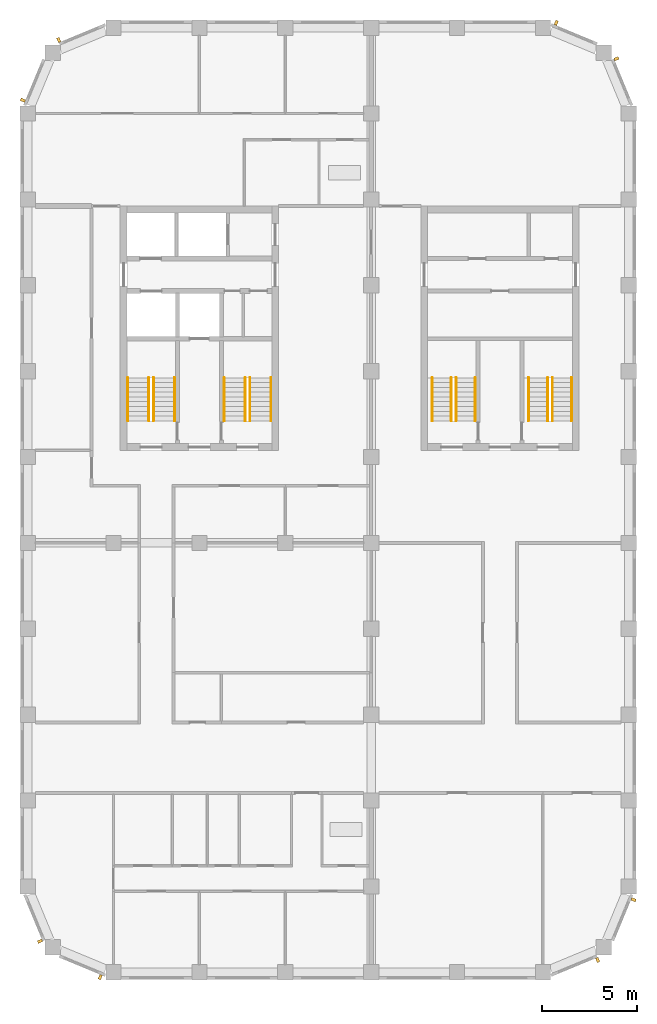
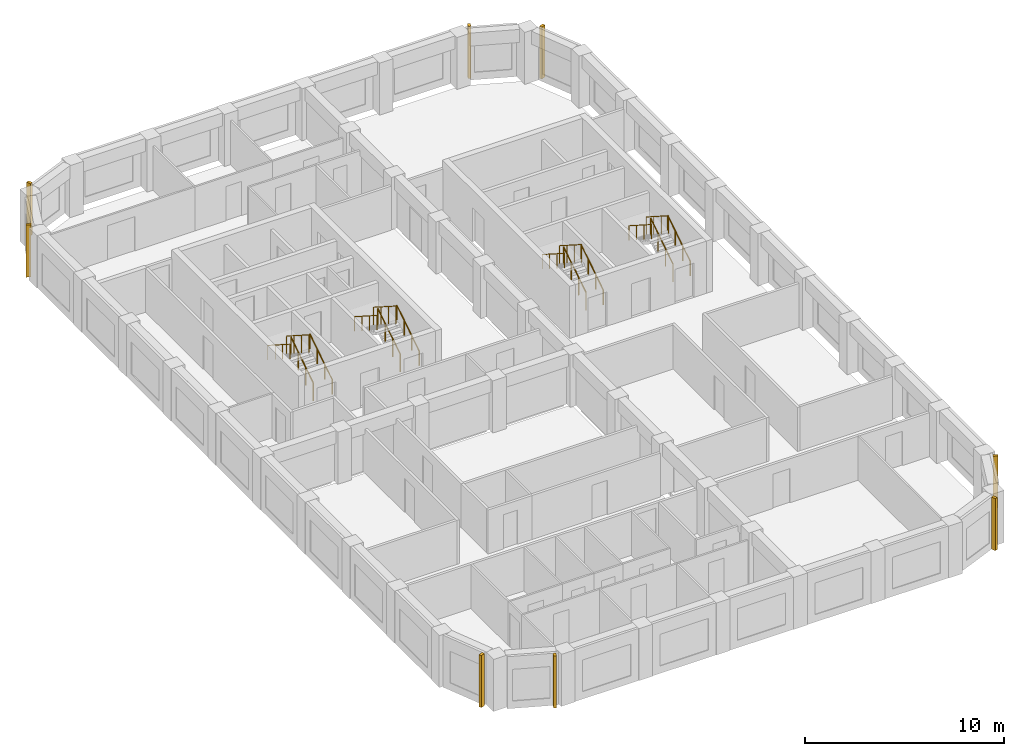
# One storey, part 8 of 9: 16 railings, 8 shading devices.
"""IFC4 building model written with IfcOpenShell, lengths in metres."""

from ifc_helpers import new_model, si_unit, direction, frame, origin, origin_2d, place, context, subcontext, project, spatial, rectangle, circle, extrude, material, type_object, element, save


model = new_model("IFC4")

# Units and contexts
model_context = context("Model", 3, precision=1e-05, world=origin(), true_north=direction((0.0, 1.0)))
body_context = subcontext(model_context, "Body", "Model", "MODEL_VIEW")
ifc_project = project(units=[si_unit("LENGTHUNIT", "METRE"), si_unit("AREAUNIT", "SQUARE_METRE"), si_unit("VOLUMEUNIT", "CUBIC_METRE"), si_unit("PLANEANGLEUNIT", "RADIAN"), si_unit("MASSUNIT", "GRAM", prefix="KILO")], contexts=[model_context])

# Site, building, storey
site_placement = place(None, origin())
site = spatial("IfcSite", under=ifc_project, at=site_placement, CompositionType="ELEMENT")
building_placement = place(site_placement, origin())
building = spatial("IfcBuilding", under=site, at=building_placement, Name="Girih Gate Residences", CompositionType="ELEMENT")
storey_placement = place(building_placement, frame((0.0, 0.0, 198.699951171875)))
storey = spatial("IfcBuildingStorey", under=building, at=storey_placement, Name="L55", CompositionType="ELEMENT", Elevation=198.699951171875)

# Shading devices
ifc_material_1 = material(Name="Precast concrete C50/60", Category="concrete")
shading_device_type = type_object("IfcShadingDeviceType", Name="Corner rib 150x250", PredefinedType="USERDEFINED", material=ifc_material_1)
for number, where, z_axis, x_axis, name in (
    (1, (29.867919921875, 0.646728515625, 0.0), (0.0, 0.0, 1.0), (0.923879532511, 0.382683432365, 0.0), "Corner rib SE0270_0000.0"),
    (2, (31.752685546875, 3.80322265625, 0.0), (0.0, 0.0, 1.0), (0.382683432365, 0.923879532511, 0.0), "Corner rib SE0302_0013.0"),
    (3, (30.853271484375, 47.867919921875, 0.0), (0.0, 0.0, 1.0), (-0.382683432365, 0.923879532511, 0.0), "Corner rib NE0315_0450.0"),
    (4, (27.69677734375, 49.752685546875, 0.0), (0.0, 0.0, 1.0), (-0.923879532511, 0.382683432365, 0.0), "Corner rib NE0302_0482.0"),
    (5, (1.632080078125, 48.853271484375, 0.0), (0.0, 0.0, 1.0), (-0.923879532511, -0.382683432365, 0.0), "Corner rib NW0045_0495.0"),
    (6, (-0.252685546875, 45.69677734375, 0.0), (0.0, 0.0, 1.0), (-0.382683432365, -0.923879532511, 0.0), "Corner rib NW0013_0482.0"),
    (7, (0.646728515625, 1.632080078125, 0.0), (0.0, 0.0, 1.0), (0.382683432365, -0.923879532511, 0.0), "Corner rib SW0000_0045.0"),
    (8, (3.80322265625, -0.252685546875, 0.0), (0.0, 0.0, 1.0), (0.923879532511, -0.382683432365, 0.0), "Corner rib SW0013_0013.0"),
):
    element("IfcShadingDevice", number, at=place(storey_placement, frame(where, z_axis=z_axis, x_axis=x_axis)), inside=storey, type_object=shading_device_type, Name=name, ObjectType="FIN", PredefinedType="USERDEFINED", context=body_context, shape_type="SweptSolid", body=[
        extrude(rectangle(XDim=0.14990234375, YDim=0.25, at=origin_2d()), origin(), (0.0, 0.0, 1.0), 3.199951171875),
    ])

# Railings
ifc_material_2 = material(Name="Stainless steel", Category="steel")
railing_type_1 = type_object("IfcRailingType", Name="Stair guard 1100", PredefinedType="GUARDRAIL", material=ifc_material_2)
railing_1_placement = place(storey_placement, frame((6.60009765625, 28.89990234375, 0.16015625)))
element("IfcRailing", 9, at=railing_1_placement, inside=storey, type_object=railing_type_1, Name="L55 ST-W1 stair guard 1", PredefinedType="GUARDRAIL", context=body_context, shape_type="SweptSolid", body=[
    extrude(circle(Radius=0.02392578125, at=origin_2d()), frame((0.0, 0.0, 1.076171875), z_axis=(0.0, 0.842281359387, 0.539038135598), x_axis=(-1.0, 0.0, 0.0)), (0.0, 0.0, 1.0), 2.67138671875),
    extrude(circle(Radius=0.02099609375, at=origin_2d()), origin(), (0.0, 0.0, 1.0), 1.052001953125),
    extrude(circle(Radius=0.02099609375, at=origin_2d()), frame((0.0, 0.75, 0.47998046875)), (0.0, 0.0, 1.0), 1.052001953125),
    extrude(circle(Radius=0.02099609375, at=origin_2d()), frame((0.0, 1.5, 0.9599609375)), (0.0, 0.0, 1.0), 1.052001953125),
    extrude(circle(Radius=0.02099609375, at=origin_2d()), frame((0.0, 2.25, 1.43994140625)), (0.0, 0.0, 1.0), 1.052001953125),
])
railing_2_placement = place(storey_placement, frame((6.35009765625, 31.14990234375, 1.760009765625)))
element("IfcRailing", 10, at=railing_2_placement, inside=storey, type_object=railing_type_1, Name="L55 ST-W1 stair guard 2", PredefinedType="GUARDRAIL", context=body_context, shape_type="SweptSolid", body=[
    extrude(circle(Radius=0.02392578125, at=origin_2d()), frame((0.0, 0.0, 1.076171875), z_axis=(0.0, -0.842281359387, 0.539038135598), x_axis=(1.0, 0.0, 0.0)), (0.0, 0.0, 1.0), 2.67138671875),
    extrude(circle(Radius=0.02099609375, at=origin_2d()), origin(), (0.0, 0.0, 1.0), 1.052001953125),
    extrude(circle(Radius=0.02099609375, at=origin_2d()), frame((0.0, -0.75, 0.47998046875)), (0.0, 0.0, 1.0), 1.052001953125),
    extrude(circle(Radius=0.02099609375, at=origin_2d()), frame((0.0, -1.5, 0.9599609375)), (0.0, 0.0, 1.0), 1.052001953125),
    extrude(circle(Radius=0.02099609375, at=origin_2d()), frame((0.0, -2.25, 1.43994140625)), (0.0, 0.0, 1.0), 1.052001953125),
])
railing_3_placement = place(storey_placement, frame((11.64990234375, 28.89990234375, 0.16015625)))
element("IfcRailing", 11, at=railing_3_placement, inside=storey, type_object=railing_type_1, Name="L55 ST-W2 stair guard 1", PredefinedType="GUARDRAIL", context=body_context, shape_type="SweptSolid", body=[
    extrude(circle(Radius=0.02392578125, at=origin_2d()), frame((0.0, 0.0, 1.076171875), z_axis=(0.0, 0.842281359387, 0.539038135598), x_axis=(-1.0, 0.0, 0.0)), (0.0, 0.0, 1.0), 2.67138671875),
    extrude(circle(Radius=0.02099609375, at=origin_2d()), origin(), (0.0, 0.0, 1.0), 1.052001953125),
    extrude(circle(Radius=0.02099609375, at=origin_2d()), frame((0.0, 0.75, 0.47998046875)), (0.0, 0.0, 1.0), 1.052001953125),
    extrude(circle(Radius=0.02099609375, at=origin_2d()), frame((0.0, 1.5, 0.9599609375)), (0.0, 0.0, 1.0), 1.052001953125),
    extrude(circle(Radius=0.02099609375, at=origin_2d()), frame((0.0, 2.25, 1.43994140625)), (0.0, 0.0, 1.0), 1.052001953125),
])
railing_4_placement = place(storey_placement, frame((11.39990234375, 31.14990234375, 1.760009765625)))
element("IfcRailing", 12, at=railing_4_placement, inside=storey, type_object=railing_type_1, Name="L55 ST-W2 stair guard 2", PredefinedType="GUARDRAIL", context=body_context, shape_type="SweptSolid", body=[
    extrude(circle(Radius=0.02392578125, at=origin_2d()), frame((0.0, 0.0, 1.076171875), z_axis=(0.0, -0.842281359387, 0.539038135598), x_axis=(1.0, 0.0, 0.0)), (0.0, 0.0, 1.0), 2.67138671875),
    extrude(circle(Radius=0.02099609375, at=origin_2d()), origin(), (0.0, 0.0, 1.0), 1.052001953125),
    extrude(circle(Radius=0.02099609375, at=origin_2d()), frame((0.0, -0.75, 0.47998046875)), (0.0, 0.0, 1.0), 1.052001953125),
    extrude(circle(Radius=0.02099609375, at=origin_2d()), frame((0.0, -1.5, 0.9599609375)), (0.0, 0.0, 1.0), 1.052001953125),
    extrude(circle(Radius=0.02099609375, at=origin_2d()), frame((0.0, -2.25, 1.43994140625)), (0.0, 0.0, 1.0), 1.052001953125),
])
railing_5_placement = place(storey_placement, frame((22.449951171875, 28.89990234375, 0.16015625)))
element("IfcRailing", 13, at=railing_5_placement, inside=storey, type_object=railing_type_1, Name="L55 ST-C1 stair guard 1", PredefinedType="GUARDRAIL", context=body_context, shape_type="SweptSolid", body=[
    extrude(circle(Radius=0.02392578125, at=origin_2d()), frame((0.0, 0.0, 1.076171875), z_axis=(0.0, 0.842281359387, 0.539038135598), x_axis=(-1.0, 0.0, 0.0)), (0.0, 0.0, 1.0), 2.67138671875),
    extrude(circle(Radius=0.02099609375, at=origin_2d()), origin(), (0.0, 0.0, 1.0), 1.052001953125),
    extrude(circle(Radius=0.02099609375, at=origin_2d()), frame((0.0, 0.75, 0.47998046875)), (0.0, 0.0, 1.0), 1.052001953125),
    extrude(circle(Radius=0.02099609375, at=origin_2d()), frame((0.0, 1.5, 0.9599609375)), (0.0, 0.0, 1.0), 1.052001953125),
    extrude(circle(Radius=0.02099609375, at=origin_2d()), frame((0.0, 2.25, 1.43994140625)), (0.0, 0.0, 1.0), 1.052001953125),
])
railing_6_placement = place(storey_placement, frame((22.199951171875, 31.14990234375, 1.760009765625)))
element("IfcRailing", 14, at=railing_6_placement, inside=storey, type_object=railing_type_1, Name="L55 ST-C1 stair guard 2", PredefinedType="GUARDRAIL", context=body_context, shape_type="SweptSolid", body=[
    extrude(circle(Radius=0.02392578125, at=origin_2d()), frame((0.0, 0.0, 1.076171875), z_axis=(0.0, -0.842281359387, 0.539038135598), x_axis=(1.0, 0.0, 0.0)), (0.0, 0.0, 1.0), 2.67138671875),
    extrude(circle(Radius=0.02099609375, at=origin_2d()), origin(), (0.0, 0.0, 1.0), 1.052001953125),
    extrude(circle(Radius=0.02099609375, at=origin_2d()), frame((0.0, -0.75, 0.47998046875)), (0.0, 0.0, 1.0), 1.052001953125),
    extrude(circle(Radius=0.02099609375, at=origin_2d()), frame((0.0, -1.5, 0.9599609375)), (0.0, 0.0, 1.0), 1.052001953125),
    extrude(circle(Radius=0.02099609375, at=origin_2d()), frame((0.0, -2.25, 1.43994140625)), (0.0, 0.0, 1.0), 1.052001953125),
])
railing_7_placement = place(storey_placement, frame((27.5, 28.89990234375, 0.16015625)))
element("IfcRailing", 15, at=railing_7_placement, inside=storey, type_object=railing_type_1, Name="L55 ST-C2 stair guard 1", PredefinedType="GUARDRAIL", context=body_context, shape_type="SweptSolid", body=[
    extrude(circle(Radius=0.02392578125, at=origin_2d()), frame((0.0, 0.0, 1.076171875), z_axis=(0.0, 0.842281359387, 0.539038135598), x_axis=(-1.0, 0.0, 0.0)), (0.0, 0.0, 1.0), 2.67138671875),
    extrude(circle(Radius=0.02099609375, at=origin_2d()), origin(), (0.0, 0.0, 1.0), 1.052001953125),
    extrude(circle(Radius=0.02099609375, at=origin_2d()), frame((0.0, 0.75, 0.47998046875)), (0.0, 0.0, 1.0), 1.052001953125),
    extrude(circle(Radius=0.02099609375, at=origin_2d()), frame((0.0, 1.5, 0.9599609375)), (0.0, 0.0, 1.0), 1.052001953125),
    extrude(circle(Radius=0.02099609375, at=origin_2d()), frame((0.0, 2.25, 1.43994140625)), (0.0, 0.0, 1.0), 1.052001953125),
])
railing_8_placement = place(storey_placement, frame((27.25, 31.14990234375, 1.760009765625)))
element("IfcRailing", 16, at=railing_8_placement, inside=storey, type_object=railing_type_1, Name="L55 ST-C2 stair guard 2", PredefinedType="GUARDRAIL", context=body_context, shape_type="SweptSolid", body=[
    extrude(circle(Radius=0.02392578125, at=origin_2d()), frame((0.0, 0.0, 1.076171875), z_axis=(0.0, -0.842281359387, 0.539038135598), x_axis=(1.0, 0.0, 0.0)), (0.0, 0.0, 1.0), 2.67138671875),
    extrude(circle(Radius=0.02099609375, at=origin_2d()), origin(), (0.0, 0.0, 1.0), 1.052001953125),
    extrude(circle(Radius=0.02099609375, at=origin_2d()), frame((0.0, -0.75, 0.47998046875)), (0.0, 0.0, 1.0), 1.052001953125),
    extrude(circle(Radius=0.02099609375, at=origin_2d()), frame((0.0, -1.5, 0.9599609375)), (0.0, 0.0, 1.0), 1.052001953125),
    extrude(circle(Radius=0.02099609375, at=origin_2d()), frame((0.0, -2.25, 1.43994140625)), (0.0, 0.0, 1.0), 1.052001953125),
])
railing_type_2 = type_object("IfcRailingType", Name="Stair handrail 900", PredefinedType="HANDRAIL", material=ifc_material_2)
railing_9_placement = place(storey_placement, frame((7.699951171875, 28.89990234375, 0.16015625)))
element("IfcRailing", 17, at=railing_9_placement, inside=storey, type_object=railing_type_2, Name="L55 ST-W1 stair handrail 1", PredefinedType="HANDRAIL", context=body_context, shape_type="SweptSolid", body=[
    extrude(circle(Radius=0.02392578125, at=origin_2d()), frame((0.0, 0.0, 0.8857421875), z_axis=(0.0, 0.842281359387, 0.539038135598), x_axis=(-1.0, 0.0, 0.0)), (0.0, 0.0, 1.0), 2.67138671875),
    extrude(circle(Radius=0.02099609375, at=origin_2d()), origin(), (0.0, 0.0, 1.0), 0.86181640625),
    extrude(circle(Radius=0.02099609375, at=origin_2d()), frame((0.0, 0.75, 0.47998046875)), (0.0, 0.0, 1.0), 0.86181640625),
    extrude(circle(Radius=0.02099609375, at=origin_2d()), frame((0.0, 1.5, 0.9599609375)), (0.0, 0.0, 1.0), 0.86181640625),
    extrude(circle(Radius=0.02099609375, at=origin_2d()), frame((0.0, 2.25, 1.43994140625)), (0.0, 0.0, 1.0), 0.86181640625),
])
railing_10_placement = place(storey_placement, frame((5.25, 31.14990234375, 1.760009765625)))
element("IfcRailing", 18, at=railing_10_placement, inside=storey, type_object=railing_type_2, Name="L55 ST-W1 stair handrail 2", PredefinedType="HANDRAIL", context=body_context, shape_type="SweptSolid", body=[
    extrude(circle(Radius=0.02392578125, at=origin_2d()), frame((0.0, 0.0, 0.8857421875), z_axis=(0.0, -0.842281359387, 0.539038135598), x_axis=(1.0, 0.0, 0.0)), (0.0, 0.0, 1.0), 2.67138671875),
    extrude(circle(Radius=0.02099609375, at=origin_2d()), origin(), (0.0, 0.0, 1.0), 0.86181640625),
    extrude(circle(Radius=0.02099609375, at=origin_2d()), frame((0.0, -0.75, 0.47998046875)), (0.0, 0.0, 1.0), 0.86181640625),
    extrude(circle(Radius=0.02099609375, at=origin_2d()), frame((0.0, -1.5, 0.9599609375)), (0.0, 0.0, 1.0), 0.86181640625),
    extrude(circle(Radius=0.02099609375, at=origin_2d()), frame((0.0, -2.25, 1.43994140625)), (0.0, 0.0, 1.0), 0.86181640625),
])
railing_11_placement = place(storey_placement, frame((12.75, 28.89990234375, 0.16015625)))
element("IfcRailing", 19, at=railing_11_placement, inside=storey, type_object=railing_type_2, Name="L55 ST-W2 stair handrail 1", PredefinedType="HANDRAIL", context=body_context, shape_type="SweptSolid", body=[
    extrude(circle(Radius=0.02392578125, at=origin_2d()), frame((0.0, 0.0, 0.8857421875), z_axis=(0.0, 0.842281359387, 0.539038135598), x_axis=(-1.0, 0.0, 0.0)), (0.0, 0.0, 1.0), 2.67138671875),
    extrude(circle(Radius=0.02099609375, at=origin_2d()), origin(), (0.0, 0.0, 1.0), 0.86181640625),
    extrude(circle(Radius=0.02099609375, at=origin_2d()), frame((0.0, 0.75, 0.47998046875)), (0.0, 0.0, 1.0), 0.86181640625),
    extrude(circle(Radius=0.02099609375, at=origin_2d()), frame((0.0, 1.5, 0.9599609375)), (0.0, 0.0, 1.0), 0.86181640625),
    extrude(circle(Radius=0.02099609375, at=origin_2d()), frame((0.0, 2.25, 1.43994140625)), (0.0, 0.0, 1.0), 0.86181640625),
])
railing_12_placement = place(storey_placement, frame((10.300048828125, 31.14990234375, 1.760009765625)))
element("IfcRailing", 20, at=railing_12_placement, inside=storey, type_object=railing_type_2, Name="L55 ST-W2 stair handrail 2", PredefinedType="HANDRAIL", context=body_context, shape_type="SweptSolid", body=[
    extrude(circle(Radius=0.02392578125, at=origin_2d()), frame((0.0, 0.0, 0.8857421875), z_axis=(0.0, -0.842281359387, 0.539038135598), x_axis=(1.0, 0.0, 0.0)), (0.0, 0.0, 1.0), 2.67138671875),
    extrude(circle(Radius=0.02099609375, at=origin_2d()), origin(), (0.0, 0.0, 1.0), 0.86181640625),
    extrude(circle(Radius=0.02099609375, at=origin_2d()), frame((0.0, -0.75, 0.47998046875)), (0.0, 0.0, 1.0), 0.86181640625),
    extrude(circle(Radius=0.02099609375, at=origin_2d()), frame((0.0, -1.5, 0.9599609375)), (0.0, 0.0, 1.0), 0.86181640625),
    extrude(circle(Radius=0.02099609375, at=origin_2d()), frame((0.0, -2.25, 1.43994140625)), (0.0, 0.0, 1.0), 0.86181640625),
])
railing_13_placement = place(storey_placement, frame((23.449951171875, 28.89990234375, 0.16015625)))
element("IfcRailing", 21, at=railing_13_placement, inside=storey, type_object=railing_type_2, Name="L55 ST-C1 stair handrail 1", PredefinedType="HANDRAIL", context=body_context, shape_type="SweptSolid", body=[
    extrude(circle(Radius=0.02392578125, at=origin_2d()), frame((0.0, 0.0, 0.8857421875), z_axis=(0.0, 0.842281359387, 0.539038135598), x_axis=(-1.0, 0.0, 0.0)), (0.0, 0.0, 1.0), 2.67138671875),
    extrude(circle(Radius=0.02099609375, at=origin_2d()), origin(), (0.0, 0.0, 1.0), 0.86181640625),
    extrude(circle(Radius=0.02099609375, at=origin_2d()), frame((0.0, 0.75, 0.47998046875)), (0.0, 0.0, 1.0), 0.86181640625),
    extrude(circle(Radius=0.02099609375, at=origin_2d()), frame((0.0, 1.5, 0.9599609375)), (0.0, 0.0, 1.0), 0.86181640625),
    extrude(circle(Radius=0.02099609375, at=origin_2d()), frame((0.0, 2.25, 1.43994140625)), (0.0, 0.0, 1.0), 0.86181640625),
])
railing_14_placement = place(storey_placement, frame((21.199951171875, 31.14990234375, 1.760009765625)))
element("IfcRailing", 22, at=railing_14_placement, inside=storey, type_object=railing_type_2, Name="L55 ST-C1 stair handrail 2", PredefinedType="HANDRAIL", context=body_context, shape_type="SweptSolid", body=[
    extrude(circle(Radius=0.02392578125, at=origin_2d()), frame((0.0, 0.0, 0.8857421875), z_axis=(0.0, -0.842281359387, 0.539038135598), x_axis=(1.0, 0.0, 0.0)), (0.0, 0.0, 1.0), 2.67138671875),
    extrude(circle(Radius=0.02099609375, at=origin_2d()), origin(), (0.0, 0.0, 1.0), 0.86181640625),
    extrude(circle(Radius=0.02099609375, at=origin_2d()), frame((0.0, -0.75, 0.47998046875)), (0.0, 0.0, 1.0), 0.86181640625),
    extrude(circle(Radius=0.02099609375, at=origin_2d()), frame((0.0, -1.5, 0.9599609375)), (0.0, 0.0, 1.0), 0.86181640625),
    extrude(circle(Radius=0.02099609375, at=origin_2d()), frame((0.0, -2.25, 1.43994140625)), (0.0, 0.0, 1.0), 0.86181640625),
])
railing_15_placement = place(storey_placement, frame((28.5, 28.89990234375, 0.16015625)))
element("IfcRailing", 23, at=railing_15_placement, inside=storey, type_object=railing_type_2, Name="L55 ST-C2 stair handrail 1", PredefinedType="HANDRAIL", context=body_context, shape_type="SweptSolid", body=[
    extrude(circle(Radius=0.02392578125, at=origin_2d()), frame((0.0, 0.0, 0.8857421875), z_axis=(0.0, 0.842281359387, 0.539038135598), x_axis=(-1.0, 0.0, 0.0)), (0.0, 0.0, 1.0), 2.67138671875),
    extrude(circle(Radius=0.02099609375, at=origin_2d()), origin(), (0.0, 0.0, 1.0), 0.86181640625),
    extrude(circle(Radius=0.02099609375, at=origin_2d()), frame((0.0, 0.75, 0.47998046875)), (0.0, 0.0, 1.0), 0.86181640625),
    extrude(circle(Radius=0.02099609375, at=origin_2d()), frame((0.0, 1.5, 0.9599609375)), (0.0, 0.0, 1.0), 0.86181640625),
    extrude(circle(Radius=0.02099609375, at=origin_2d()), frame((0.0, 2.25, 1.43994140625)), (0.0, 0.0, 1.0), 0.86181640625),
])
railing_16_placement = place(storey_placement, frame((26.25, 31.14990234375, 1.760009765625)))
element("IfcRailing", 24, at=railing_16_placement, inside=storey, type_object=railing_type_2, Name="L55 ST-C2 stair handrail 2", PredefinedType="HANDRAIL", context=body_context, shape_type="SweptSolid", body=[
    extrude(circle(Radius=0.02392578125, at=origin_2d()), frame((0.0, 0.0, 0.8857421875), z_axis=(0.0, -0.842281359387, 0.539038135598), x_axis=(1.0, 0.0, 0.0)), (0.0, 0.0, 1.0), 2.67138671875),
    extrude(circle(Radius=0.02099609375, at=origin_2d()), origin(), (0.0, 0.0, 1.0), 0.86181640625),
    extrude(circle(Radius=0.02099609375, at=origin_2d()), frame((0.0, -0.75, 0.47998046875)), (0.0, 0.0, 1.0), 0.86181640625),
    extrude(circle(Radius=0.02099609375, at=origin_2d()), frame((0.0, -1.5, 0.9599609375)), (0.0, 0.0, 1.0), 0.86181640625),
    extrude(circle(Radius=0.02099609375, at=origin_2d()), frame((0.0, -2.25, 1.43994140625)), (0.0, 0.0, 1.0), 0.86181640625),
])

save(model, "model.ifc")
